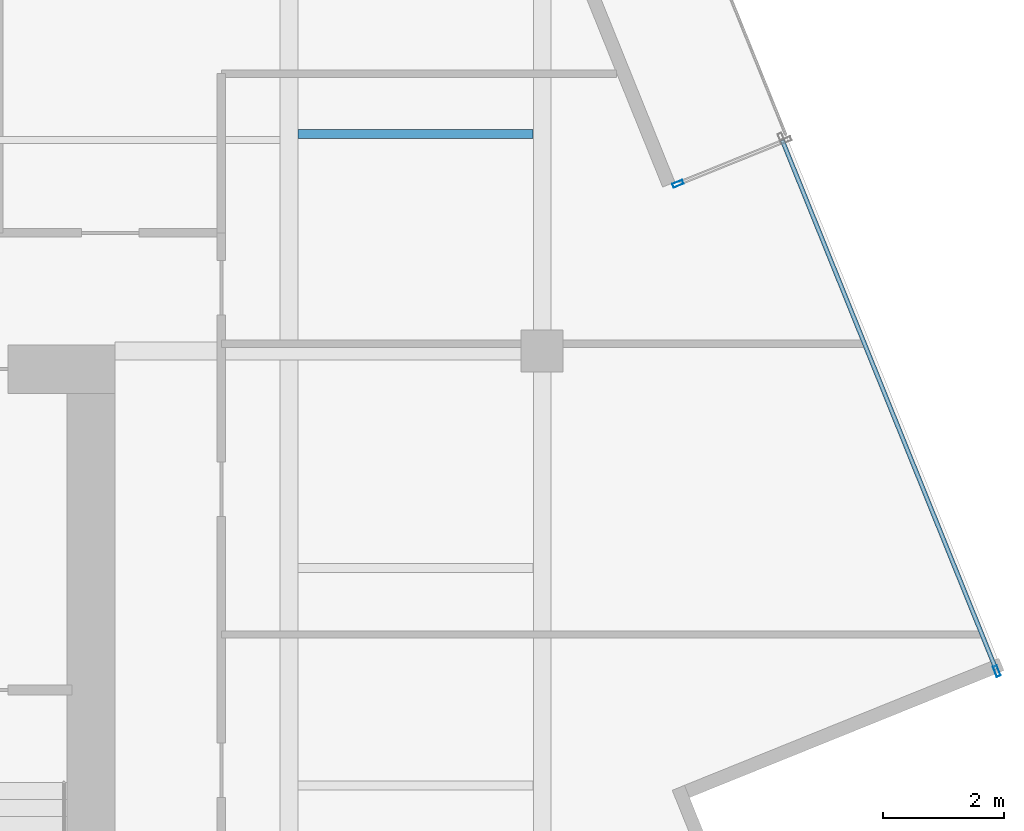
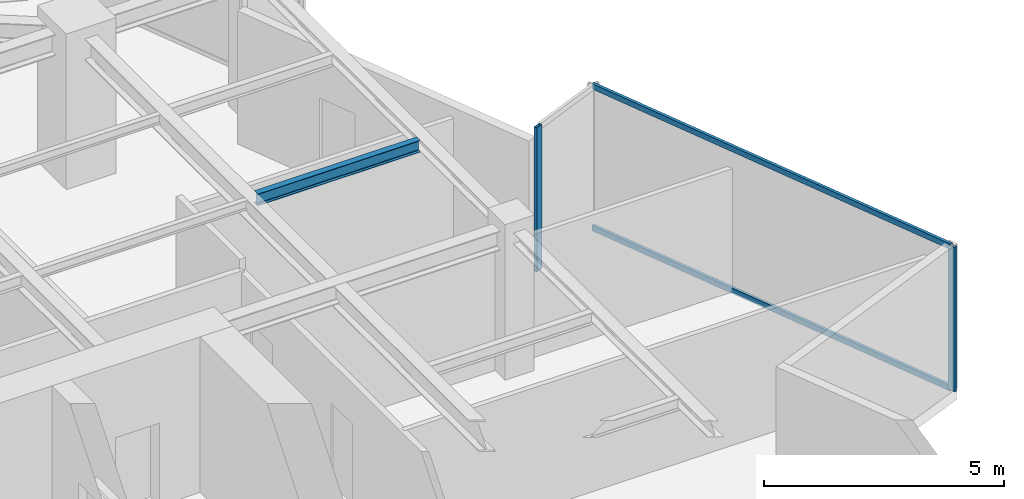
# One storey, part 11 of 21: 4 members, 1 beam, 2 elements without a shape of their own.
"""IFC4 building model written with IfcOpenShell, lengths in metres."""

from ifc_helpers import new_model, si_unit, direction, frame, origin, origin_2d, place, context, subcontext, project, spatial, hollow_rectangle, i_section, extrude, source, transform, mapped, material, material_profile, profile_set, type_object, type_shapes, element, aggregate, save


model = new_model("IFC4")

# Units and contexts
model_context = context("Model", 3, precision=1e-05, world=origin(), true_north=direction((0.0, 1.0)))
body_context = subcontext(model_context, "Body", "Model", "MODEL_VIEW")
ifc_project = project(units=[si_unit("LENGTHUNIT", "METRE"), si_unit("AREAUNIT", "SQUARE_METRE"), si_unit("VOLUMEUNIT", "CUBIC_METRE"), si_unit("PLANEANGLEUNIT", "RADIAN"), si_unit("MASSUNIT", "GRAM", prefix="KILO")], contexts=[model_context])

# Site, building, storey
site_placement = place(None, origin())
site = spatial("IfcSite", under=ifc_project, at=site_placement, CompositionType="ELEMENT")
building_placement = place(site_placement, origin())
building = spatial("IfcBuilding", under=site, at=building_placement, Name="Krantzveldt Concourse Tower", CompositionType="ELEMENT")
storey_placement = place(building_placement, frame((0.0, 0.0, 323.75)))
storey = spatial("IfcBuildingStorey", under=building, at=storey_placement, Name="L79", CompositionType="ELEMENT", Elevation=323.75)

# Beam
ifc_material_1 = material(Name="Steel S355JR", Category="steel")
ifc_material_profile_1 = material_profile(ifc_material_1, i_section(OverallWidth=0.14990234375, OverallDepth=0.300048828125, WebThickness=0.007080078125, FlangeThickness=0.0107421875, FilletRadius=0.014892578125, at=origin_2d()), Name="Steel S355JR", Category="steel")
ifc_profile_set_1 = profile_set([ifc_material_profile_1], Name="Steel S355JR - IPE 300")
beam_type = type_object("IfcBeamType", Name="BM-J-IPE300", PredefinedType="JOIST", material=ifc_profile_set_1)
shared_shape_1 = source(origin(), body_context, "Body", "SweptSolid", [
    extrude(i_section(OverallWidth=0.14990234375, OverallDepth=0.300048828125, WebThickness=0.007080078125, FlangeThickness=0.0107421875, FilletRadius=0.014892578125, at=origin_2d()), origin(), (0.0, 0.0, 1.0), 3.900146484375),
])
type_shapes(beam_type, [shared_shape_1])
beam_placement = place(storey_placement, frame((46.949951171875, 30.300048828125, 3.52001953125), z_axis=(1.0, 0.0, 0.0), x_axis=(0.0, 1.0, 0.0)))
element("IfcBeam", 1, at=beam_placement, inside=storey, type_object=beam_type, Name="L79 Secondary Floor Joist JE-3", PredefinedType="JOIST", context=body_context, shape_type="MappedRepresentation", body=[
    mapped(shared_shape_1, transform((0.0, 0.0, 0.0), x_axis=(1.0, 0.0, 0.0), y_axis=(0.0, 1.0, 0.0), z_axis=(0.0, 0.0, 1.0), scale=1.0)),
])

# Curtain wall, member
ifc_material_2 = material(Name="Anodised aluminium 6063-T6", Category="aluminium")
curtain_wall_type_1 = type_object("IfcCurtainWallType", Name="CW4", PredefinedType="USERDEFINED", material=ifc_material_2)
curtain_wall_1_placement = place(storey_placement, origin())
curtain_wall_1 = element("IfcCurtainWall", 2, at=curtain_wall_1_placement, inside=storey, type_object=curtain_wall_type_1, Name="CW-L79-F10", ObjectType="UNITISED CURTAIN WALL", PredefinedType="USERDEFINED")
ifc_material_profile_2 = material_profile(ifc_material_2, hollow_rectangle(XDim=0.070068359375, YDim=0.179931640625, WallThickness=0.0048828125, at=origin_2d()), Name="Anodised aluminium 6063-T6", Category="aluminium")
ifc_profile_set_2 = profile_set([ifc_material_profile_2], Name="Anodised aluminium 6063-T6 - ALU-MULL 180x70x5")
member_type_1 = type_object("IfcMemberType", Name="CW-MUL-180", PredefinedType="MULLION", material=ifc_profile_set_2)
shared_shape_2 = source(origin(), body_context, "Body", "SweptSolid", [
    extrude(hollow_rectangle(XDim=0.070068359375, YDim=0.179931640625, WallThickness=0.0048828125, at=origin_2d()), origin(), (0.0, 0.0, 1.0), 3.669921875),
])
type_shapes(member_type_1, [shared_shape_2])
member_1_placement = place(storey_placement, frame((58.53955078125, 21.39208984375, 0.0), z_axis=(0.0, 0.0, 1.0), x_axis=(-0.927184046879, -0.374606117426, 0.0)))
member_1 = element("IfcMember", 3, at=member_1_placement, type_object=member_type_1, Name="CW-Z56 mullion 1", PredefinedType="MULLION", context=body_context, shape_type="MappedRepresentation", body=[
    mapped(shared_shape_2, transform((0.0, 0.0, 0.0), x_axis=(1.0, 0.0, 0.0), y_axis=(0.0, 1.0, 0.0), z_axis=(0.0, 0.0, 1.0), scale=1.0)),
])

curtain_wall_type_2 = type_object("IfcCurtainWallType", Name="CW6", PredefinedType="USERDEFINED", material=ifc_material_2)
curtain_wall_2_placement = place(storey_placement, origin())
curtain_wall_2 = element("IfcCurtainWall", 4, at=curtain_wall_2_placement, inside=storey, type_object=curtain_wall_type_2, Name="CW-L79-TR11", ObjectType="UNITISED CURTAIN WALL", PredefinedType="USERDEFINED")
member_2_placement = place(storey_placement, frame((53.251708984375, 29.474609375, 0.0), z_axis=(0.0, 0.0, 1.0), x_axis=(0.374609124101, -0.9271828321, 0.0)))
member_2 = element("IfcMember", 5, at=member_2_placement, type_object=member_type_1, Name="CW-TERR mullion 2", PredefinedType="MULLION", context=body_context, shape_type="MappedRepresentation", body=[
    mapped(shared_shape_2, transform((0.0, 0.0, 0.0), x_axis=(1.0, 0.0, 0.0), y_axis=(0.0, 1.0, 0.0), z_axis=(0.0, 0.0, 1.0), scale=1.0)),
])
aggregate(curtain_wall_2, [member_2])

# Member
ifc_material_profile_3 = material_profile(ifc_material_2, hollow_rectangle(XDim=0.070068359375, YDim=0.139892578125, WallThickness=0.0048828125, at=origin_2d()), Name="Anodised aluminium 6063-T6", Category="aluminium")
ifc_profile_set_3 = profile_set([ifc_material_profile_3], Name="Anodised aluminium 6063-T6 - ALU-TRAN 140x70x5")
member_type_2 = type_object("IfcMemberType", Name="CW-TRN-150", PredefinedType="USERDEFINED", material=ifc_profile_set_3)
shared_shape_3 = source(origin(), body_context, "Body", "SweptSolid", [
    extrude(hollow_rectangle(XDim=0.070068359375, YDim=0.139892578125, WallThickness=0.0048828125, at=origin_2d()), origin(), (0.0, 0.0, 1.0), 9.4599609375),
])
type_shapes(member_type_2, [shared_shape_3])
member_3_placement = place(storey_placement, frame((58.526611328125, 21.424560546875, 0.034912109375), z_axis=(-0.374627754839, 0.927175304516, 0.0), x_axis=(-0.927175304516, -0.374627754839, 0.0)))
member_3 = element("IfcMember", 6, at=member_3_placement, type_object=member_type_2, Name="CW-Z56 transom 1.1", ObjectType="TRANSOM", PredefinedType="USERDEFINED", context=body_context, shape_type="MappedRepresentation", body=[
    mapped(shared_shape_3, transform((0.0, 0.0, 0.0), x_axis=(1.0, 0.0, 0.0), y_axis=(0.0, 1.0, 0.0), z_axis=(0.0, 0.0, 1.0), scale=1.0)),
])

member_4_placement = place(storey_placement, frame((58.526611328125, 21.424560546875, 3.635009765625), z_axis=(-0.374627754839, 0.927175304516, 0.0), x_axis=(-0.927175304516, -0.374627754839, 0.0)))
member_4 = element("IfcMember", 7, at=member_4_placement, type_object=member_type_2, Name="CW-Z56 transom 1.2", ObjectType="TRANSOM", PredefinedType="USERDEFINED", context=body_context, shape_type="MappedRepresentation", body=[
    mapped(shared_shape_3, transform((0.0, 0.0, 0.0), x_axis=(1.0, 0.0, 0.0), y_axis=(0.0, 1.0, 0.0), z_axis=(0.0, 0.0, 1.0), scale=1.0)),
])

aggregate(curtain_wall_1, [member_1, member_3, member_4])

save(model, "model.ifc")
